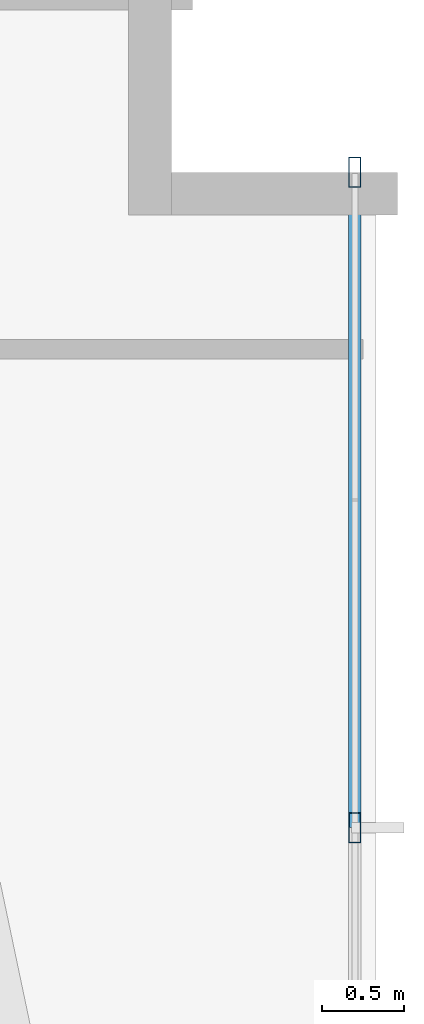
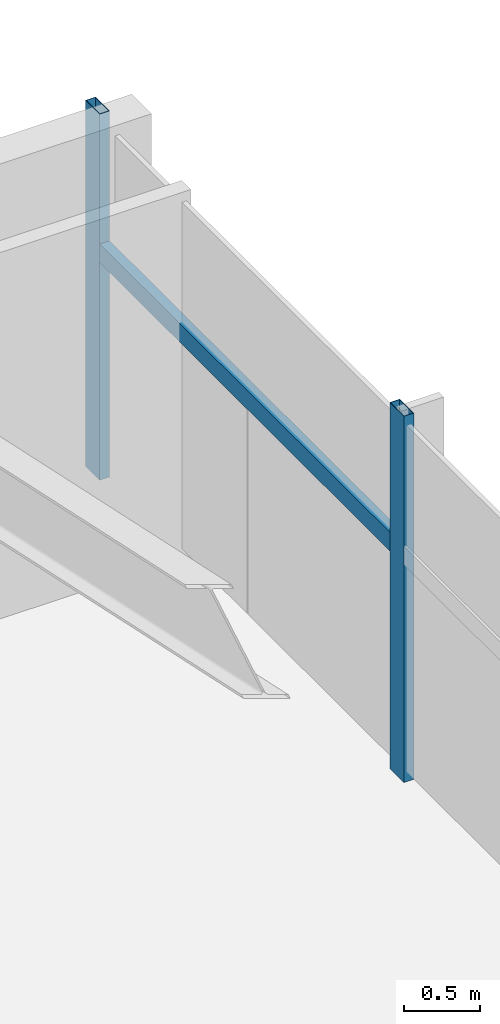
# One storey, part 17 of 25: 3 members, 1 element without a shape of its own.
"""IFC4 building model written with IfcOpenShell, lengths in metres."""

from ifc_helpers import new_model, si_unit, direction, frame, origin, origin_2d, place, context, subcontext, project, spatial, hollow_rectangle, extrude, source, transform, mapped, material, material_profile, profile_set, type_object, type_shapes, element, aggregate, save


model = new_model("IFC4")

# Units and contexts
model_context = context("Model", 3, precision=1e-05, world=origin(), true_north=direction((0.0, 1.0)))
body_context = subcontext(model_context, "Body", "Model", "MODEL_VIEW")
ifc_project = project(units=[si_unit("LENGTHUNIT", "METRE"), si_unit("AREAUNIT", "SQUARE_METRE"), si_unit("VOLUMEUNIT", "CUBIC_METRE"), si_unit("PLANEANGLEUNIT", "RADIAN"), si_unit("MASSUNIT", "GRAM", prefix="KILO")], contexts=[model_context])

# Site, building, storey
site_placement = place(None, origin())
site = spatial("IfcSite", under=ifc_project, at=site_placement, CompositionType="ELEMENT")
building_placement = place(site_placement, origin())
building = spatial("IfcBuilding", under=site, at=building_placement, Name="Astriad Promenade Condominiums", CompositionType="ELEMENT")
storey_placement = place(building_placement, frame((0.0, 0.0, 48.60009765625)))
storey = spatial("IfcBuildingStorey", under=building, at=storey_placement, Name="L13", CompositionType="ELEMENT", Elevation=48.60009765625)

# Curtain wall, members
ifc_material_1 = material(Name="Anodised aluminium Black Dark Glass Unitised", Category="aluminium")
curtain_wall_type = type_object("IfcCurtainWallType", Name="CW-B1-DARK", PredefinedType="USERDEFINED", material=ifc_material_1)
curtain_wall_placement = place(storey_placement, origin())
curtain_wall = element("IfcCurtainWall", 1, at=curtain_wall_placement, inside=storey, type_object=curtain_wall_type, Name="CW-L13-E", ObjectType="UNITISED_CURTAIN_WALL", PredefinedType="USERDEFINED")
ifc_material_2 = material(Name="Anodised aluminium 6063-T6 Black", Category="aluminium")
ifc_material_profile_1 = material_profile(ifc_material_2, hollow_rectangle(XDim=0.074951171875, YDim=0.18505859375, WallThickness=0.00439453125, at=origin_2d()), Name="ALU-MUL-75X185")
ifc_profile_set_1 = profile_set([ifc_material_profile_1], Name="Anodised aluminium 6063-T6 Black")
member_type_1 = type_object("IfcMemberType", Name="MUL-ALU-MUL-75X185", PredefinedType="MULLION", material=ifc_profile_set_1)
shared_shape_1 = source(origin(), body_context, "Body", "SweptSolid", [
    extrude(hollow_rectangle(XDim=0.074951171875, YDim=0.18505859375, WallThickness=0.00439453125, at=origin_2d()), origin(), (0.0, 0.0, 1.0), 2.93994140625),
])
type_shapes(member_type_1, [shared_shape_1])
member_1_placement = place(storey_placement, frame((59.669921875, 25.199951171875, 0.0), z_axis=(0.0, 0.0, 1.0), x_axis=(1.0, 0.0, 0.0)))
member_1 = element("IfcMember", 2, at=member_1_placement, type_object=member_type_1, Name="CW-L13-E-MUL-00", PredefinedType="MULLION", context=body_context, shape_type="MappedRepresentation", body=[
    mapped(shared_shape_1, transform((0.0, 0.0, 0.0), scale=1.0)),
])
member_2_placement = place(storey_placement, frame((59.669921875, 21.199951171875, 0.0), z_axis=(0.0, 0.0, 1.0), x_axis=(1.0, 0.0, 0.0)))
member_2 = element("IfcMember", 3, at=member_2_placement, type_object=member_type_1, Name="CW-L13-E-MUL-01", PredefinedType="MULLION", context=body_context, shape_type="MappedRepresentation", body=[
    mapped(shared_shape_1, transform((0.0, 0.0, 0.0), scale=1.0)),
])
ifc_material_profile_2 = material_profile(ifc_material_2, hollow_rectangle(XDim=0.074951171875, YDim=0.14990234375, WallThickness=0.004150390625, at=origin_2d()), Name="ALU-TRN-75X150")
ifc_profile_set_2 = profile_set([ifc_material_profile_2], Name="Anodised aluminium 6063-T6 Black")
member_type_2 = type_object("IfcMemberType", Name="TRN-ALU-TRN-75X150", PredefinedType="USERDEFINED", material=ifc_profile_set_2)
shared_shape_2 = source(origin(), body_context, "Body", "SweptSolid", [
    extrude(hollow_rectangle(XDim=0.074951171875, YDim=0.14990234375, WallThickness=0.004150390625, at=origin_2d()), origin(), (0.0, 0.0, 1.0), 4.0),
])
type_shapes(member_type_2, [shared_shape_2])
member_3_placement = place(storey_placement, frame((59.669921875, 25.199951171875, 1.82275390625), z_axis=(0.0, -1.0, 0.0), x_axis=(1.0, 0.0, 0.0)))
member_3 = element("IfcMember", 4, at=member_3_placement, type_object=member_type_2, Name="CW-L13-E-TRN-00-0", ObjectType="TRANSOM", PredefinedType="USERDEFINED", context=body_context, shape_type="MappedRepresentation", body=[
    mapped(shared_shape_2, transform((0.0, 0.0, 0.0), scale=1.0)),
])
aggregate(curtain_wall, [member_1, member_2, member_3])

save(model, "model.ifc")
